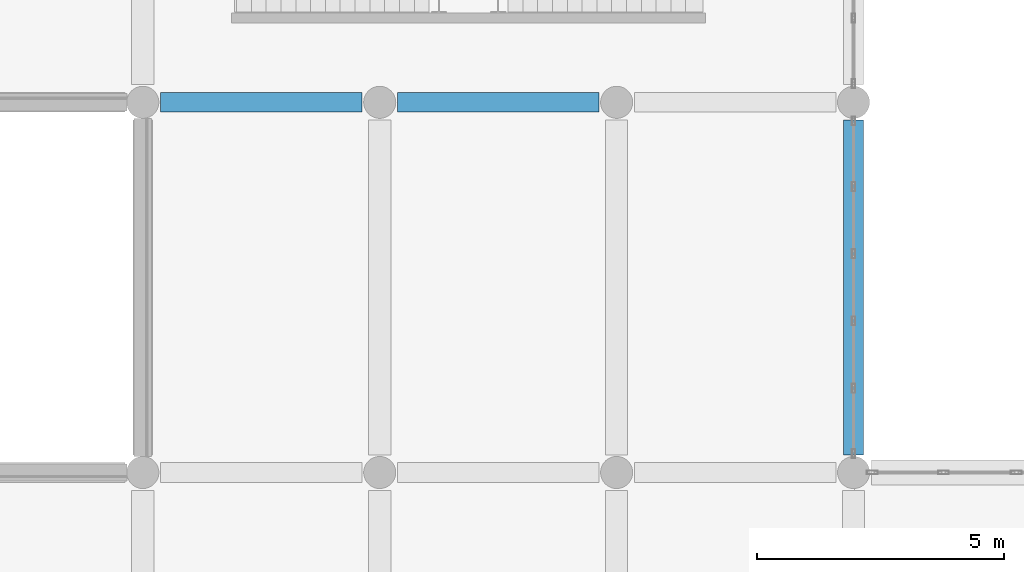
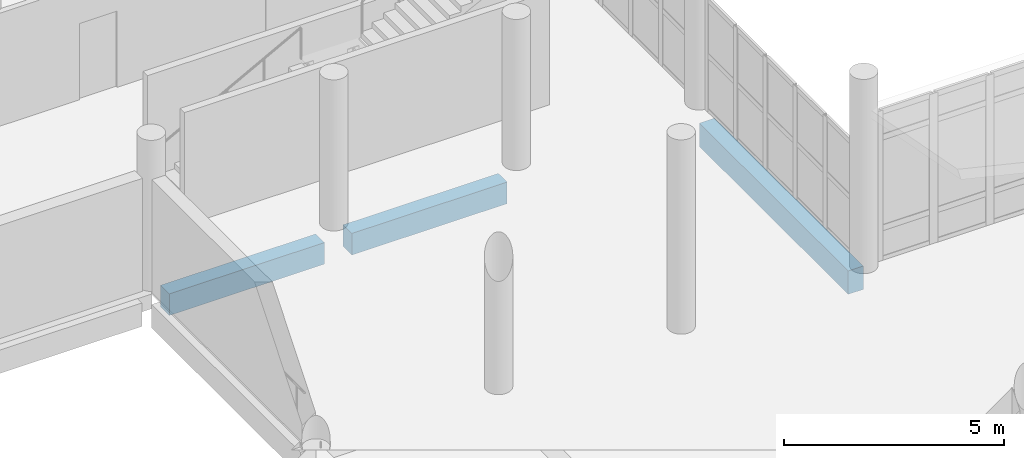
# One storey, part 62 of 164: 3 beams.
"""IFC4 building model written with IfcOpenShell, lengths in metres."""

from ifc_helpers import new_model, si_unit, direction, frame, origin, origin_2d, place, context, subcontext, project, spatial, rectangle, extrude, material, material_profile, profile_set, type_object, element, save


model = new_model("IFC4")

# Units and contexts
model_context = context("Model", 3, precision=1e-05, world=origin(), true_north=direction((0.0, 1.0)))
body_context = subcontext(model_context, "Body", "Model", "MODEL_VIEW")
ifc_project = project(units=[si_unit("LENGTHUNIT", "METRE"), si_unit("AREAUNIT", "SQUARE_METRE"), si_unit("VOLUMEUNIT", "CUBIC_METRE"), si_unit("PLANEANGLEUNIT", "RADIAN"), si_unit("MASSUNIT", "GRAM", prefix="KILO")], contexts=[model_context])

# Site, building, storey
site_placement = place(None, origin())
site = spatial("IfcSite", under=ifc_project, at=site_placement, CompositionType="ELEMENT")
building_placement = place(site_placement, origin())
building = spatial("IfcBuilding", under=site, at=building_placement, Name="Mawjan Specialist Oncology Clinic", CompositionType="ELEMENT")
storey_placement = place(building_placement, frame((0.0, 0.0, 5.0)))
storey = spatial("IfcBuildingStorey", under=building, at=storey_placement, Name="L01", CompositionType="ELEMENT", Elevation=5.0)

# Beams
ifc_material_1 = material(Name="Concrete C40/50", Category="concrete")
ifc_material_profile_1 = material_profile(ifc_material_1, rectangle(XDim=0.39990234375, YDim=0.60009765625, at=origin_2d()), Name="RC BM 400x600", Category="concrete")
ifc_profile_set_1 = profile_set([ifc_material_profile_1], Name="Concrete C40/50")
beam_type_1 = type_object("IfcBeamType", Name="BM-400x600", PredefinedType="BEAM", material=ifc_profile_set_1)
for number, where, z_axis, x_axis, name in (
    (1, (93.9599609375, 60.800048828125, -0.60009765625), (1.0, 0.0, 0.0), (0.0, 1.0, 0.0), "L01 Collector Beam BM-L01-0300"),
    (2, (98.760009765625, 60.800048828125, -0.60009765625), (1.0, 0.0, 0.0), (0.0, 1.0, 0.0), "L01 Collector Beam BM-L01-0301"),
):
    element("IfcBeam", number, at=place(storey_placement, frame(where, z_axis=z_axis, x_axis=x_axis)), inside=storey, type_object=beam_type_1, Name=name, PredefinedType="BEAM", context=body_context, shape_type="SweptSolid", body=[
        extrude(rectangle(XDim=0.39990234375, YDim=0.60009765625, at=origin_2d()), origin(), (0.0, 0.0, 1.0), 4.080078125),
    ])
ifc_material_2 = material(Name="Concrete C45/55", Category="concrete")
ifc_material_profile_2 = material_profile(ifc_material_2, rectangle(XDim=0.39990234375, YDim=0.64990234375, at=origin_2d()), Name="RC BM 400x650", Category="concrete")
ifc_profile_set_2 = profile_set([ifc_material_profile_2], Name="Concrete C45/55")
beam_type_2 = type_object("IfcBeamType", Name="SP-400x650", PredefinedType="SPANDREL", material=ifc_profile_set_2)
beam_placement = place(storey_placement, frame((108.0, 53.659912109375, -0.625), z_axis=(0.0, 1.0, 0.0), x_axis=(-1.0, 0.0, 0.0)))
element("IfcBeam", 3, at=beam_placement, inside=storey, type_object=beam_type_2, Name="L01 Spandrel Beam BM-L01-0558", PredefinedType="SPANDREL", context=body_context, shape_type="SweptSolid", body=[
    extrude(rectangle(XDim=0.39990234375, YDim=0.64990234375, at=origin_2d()), origin(), (0.0, 0.0, 1.0), 6.780029296875),
])

save(model, "model.ifc")
